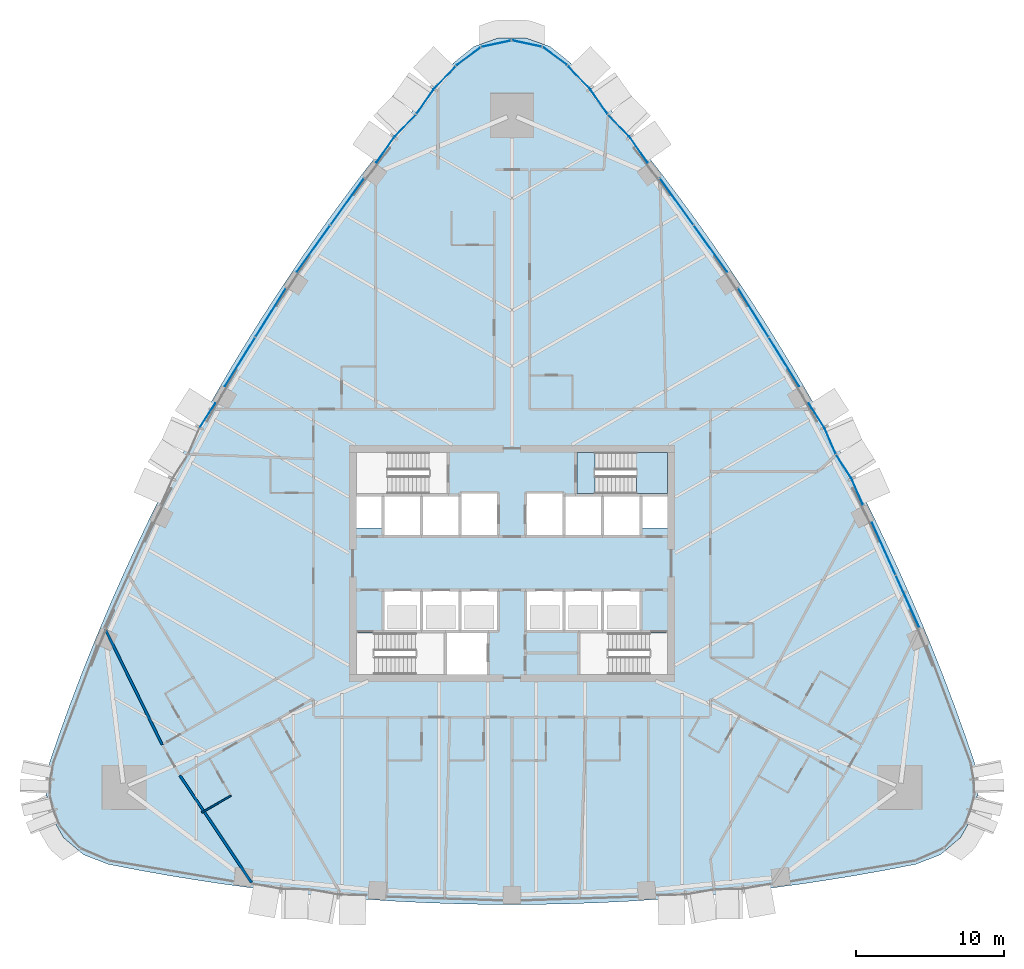
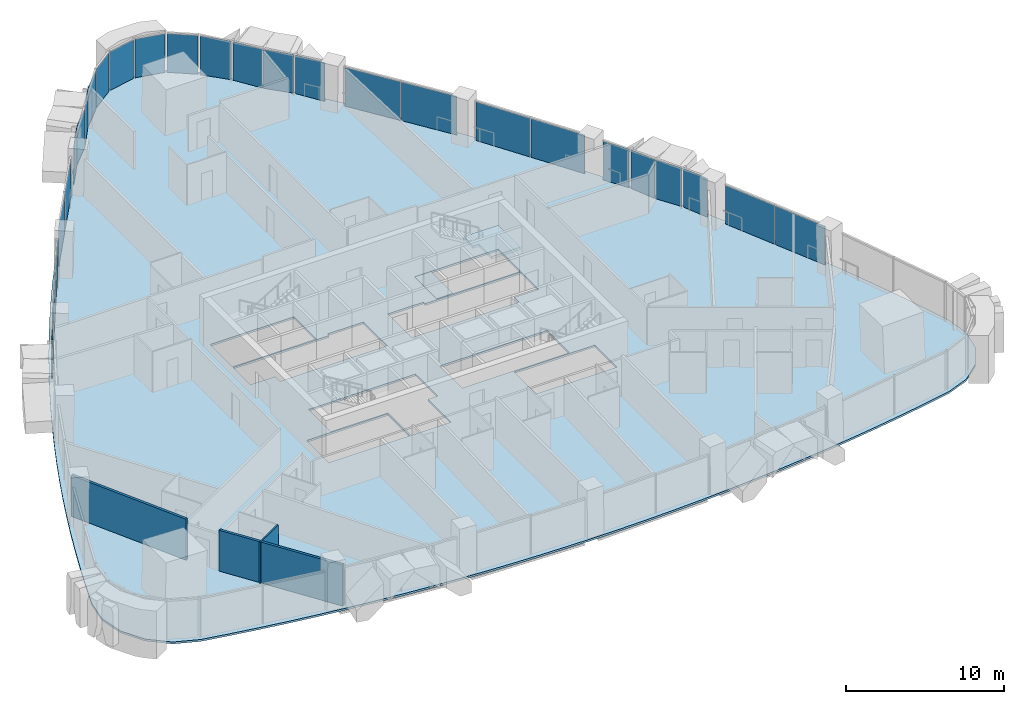
# One storey, part 9 of 18: 27 plates, 3 slabs, 3 walls, 14 elements without a shape of their own.
"""IFC4 building model written with IfcOpenShell, lengths in metres."""

from ifc_helpers import new_model, si_unit, direction, frame, frame_2d, origin, origin_2d, place, context, subcontext, project, spatial, polyline, rectangle, outline, extrude, material, layer, layer_set, type_object, element, aggregate, save


model = new_model("IFC4")

# Units and contexts
model_context = context("Model", 3, precision=1e-05, world=origin(), true_north=direction((0.0, 1.0)))
body_context = subcontext(model_context, "Body", "Model", "MODEL_VIEW")
ifc_project = project(units=[si_unit("LENGTHUNIT", "METRE"), si_unit("AREAUNIT", "SQUARE_METRE"), si_unit("VOLUMEUNIT", "CUBIC_METRE"), si_unit("PLANEANGLEUNIT", "RADIAN"), si_unit("MASSUNIT", "GRAM", prefix="KILO")], contexts=[model_context])

# Site, building, storey
site_placement = place(None, origin())
site = spatial("IfcSite", under=ifc_project, at=site_placement, CompositionType="ELEMENT")
building_placement = place(site_placement, origin())
building = spatial("IfcBuilding", under=site, at=building_placement, Name="Sierra Prisma Convention Tower", CompositionType="ELEMENT")
storey_placement = place(building_placement, frame((0.0, 0.0, 81.300048828125)))
storey = spatial("IfcBuildingStorey", under=building, at=storey_placement, Name="L16", CompositionType="ELEMENT", Elevation=81.300048828125)

# Curtain wall, plates
ifc_material_1 = material(Name="Aluminium and glass curtain wall", Category="aluminium")
ifc_layer_1 = layer(ifc_material_1, 0.179931640625)
ifc_layer_set_1 = layer_set([ifc_layer_1], Name="CW-1 Plain shaft curtain wall")
curtain_wall_type_1 = type_object("IfcCurtainWallType", Name="CW-1 Plain shaft curtain wall", PredefinedType="NOTDEFINED", material=ifc_layer_set_1)
curtain_wall_1_placement = place(storey_placement, origin())
curtain_wall_1 = element("IfcCurtainWall", 1, at=curtain_wall_1_placement, inside=storey, type_object=curtain_wall_type_1, Name="CW-1 NE2 L16", PredefinedType="NOTDEFINED")
ifc_material_2 = material(Name="Tinted glass bronze-grey IGU", Category="glass")
ifc_layer_2 = layer(ifc_material_2, 0.028076171875)
ifc_layer_set_2 = layer_set([ifc_layer_2], Name="CW-1 glass panel")
plate_type_1 = type_object("IfcPlateType", Name="CW-1 glass panel", PredefinedType="CURTAIN_PANEL", material=ifc_layer_set_2)
plate_1_placement = place(storey_placement, frame((26.714111328125, -2.580078125, 0.0), z_axis=(0.0, 0.0, 1.0), x_axis=(-0.411533962664, 0.91139442481, 0.0)))
plate_1 = element("IfcPlate", 2, at=plate_1_placement, type_object=plate_type_1, Name="CW-1 panel NE2.1", PredefinedType="CURTAIN_PANEL", context=body_context, shape_type="SweptSolid", body=[
    extrude(rectangle(XDim=3.838134765625, YDim=0.028076171875, at=origin_2d()), origin(), (0.0, 0.0, 1.0), 2.97998046875),
])
plate_2_placement = place(storey_placement, frame((25.105712890625, 0.981689453125, 0.0), z_axis=(0.0, 0.0, 1.0), x_axis=(-0.411533962664, 0.91139442481, 0.0)))
plate_2 = element("IfcPlate", 3, at=plate_2_placement, type_object=plate_type_1, Name="CW-1 panel NE2.2", PredefinedType="CURTAIN_PANEL", context=body_context, shape_type="SweptSolid", body=[
    extrude(rectangle(XDim=3.838134765625, YDim=0.028076171875, at=origin_2d()), origin(), (0.0, 0.0, 1.0), 2.97998046875),
])
aggregate(curtain_wall_1, [plate_1, plate_2])

curtain_wall_2_placement = place(storey_placement, origin())
curtain_wall_2 = element("IfcCurtainWall", 4, at=curtain_wall_2_placement, inside=storey, type_object=curtain_wall_type_1, Name="CW-1 NE4 L16", PredefinedType="NOTDEFINED")
plate_3_placement = place(storey_placement, frame((18.36669921875, 13.601318359375, 0.0), z_axis=(0.0, 0.0, 1.0), x_axis=(-0.528432247622, 0.848975476485, 0.0)))
plate_3 = element("IfcPlate", 5, at=plate_3_placement, type_object=plate_type_1, Name="CW-1 panel NE4.1", PredefinedType="CURTAIN_PANEL", context=body_context, shape_type="SweptSolid", body=[
    extrude(rectangle(XDim=3.8544921875, YDim=0.028076171875, at=origin_2d()), origin(), (0.0, 0.0, 1.0), 2.97998046875),
])
plate_4_placement = place(storey_placement, frame((16.29296875, 16.93310546875, 0.0), z_axis=(0.0, 0.0, 1.0), x_axis=(-0.528432247622, 0.848975476485, 0.0)))
plate_4 = element("IfcPlate", 6, at=plate_4_placement, type_object=plate_type_1, Name="CW-1 panel NE4.2", PredefinedType="CURTAIN_PANEL", context=body_context, shape_type="SweptSolid", body=[
    extrude(rectangle(XDim=3.8544921875, YDim=0.028076171875, at=origin_2d()), origin(), (0.0, 0.0, 1.0), 2.97998046875),
])
aggregate(curtain_wall_2, [plate_3, plate_4])

curtain_wall_3_placement = place(storey_placement, origin())
curtain_wall_3 = element("IfcCurtainWall", 7, at=curtain_wall_3_placement, inside=storey, type_object=curtain_wall_type_1, Name="CW-1 NE5 L16", PredefinedType="NOTDEFINED")
plate_5_placement = place(storey_placement, frame((13.40283203125, 21.251708984375, 0.0), z_axis=(0.0, 0.0, 1.0), x_axis=(-0.583523743421, 0.812096078592, 0.0)))
plate_5 = element("IfcPlate", 8, at=plate_5_placement, type_object=plate_type_1, Name="CW-1 panel NE5.1", PredefinedType="CURTAIN_PANEL", context=body_context, shape_type="SweptSolid", body=[
    extrude(rectangle(XDim=3.8388671875, YDim=0.028076171875, at=origin_2d()), origin(), (0.0, 0.0, 1.0), 2.97998046875),
])
plate_6_placement = place(storey_placement, frame((11.121826171875, 24.426025390625, 0.0), z_axis=(0.0, 0.0, 1.0), x_axis=(-0.583523743421, 0.812096078592, 0.0)))
plate_6 = element("IfcPlate", 9, at=plate_6_placement, type_object=plate_type_1, Name="CW-1 panel NE5.2", PredefinedType="CURTAIN_PANEL", context=body_context, shape_type="SweptSolid", body=[
    extrude(rectangle(XDim=3.8388671875, YDim=0.028076171875, at=origin_2d()), origin(), (0.0, 0.0, 1.0), 2.97998046875),
])
aggregate(curtain_wall_3, [plate_5, plate_6])

# Curtain wall, plate
curtain_wall_4_placement = place(storey_placement, origin())
curtain_wall_4 = element("IfcCurtainWall", 10, at=curtain_wall_4_placement, inside=storey, type_object=curtain_wall_type_1, Name="CW-1 N1 L16", PredefinedType="NOTDEFINED")
plate_7_placement = place(storey_placement, frame((2.925048828125, 34.240234375, 0.0), z_axis=(0.0, 0.0, 1.0), x_axis=(-0.804356465663, 0.5941470156, 0.0)))
plate_7 = element("IfcPlate", 11, at=plate_7_placement, type_object=plate_type_1, Name="CW-1 panel N1.1", PredefinedType="CURTAIN_PANEL", context=body_context, shape_type="SweptSolid", body=[
    extrude(rectangle(XDim=1.979736328125, YDim=0.028076171875, at=origin_2d()), origin(), (0.0, 0.0, 1.0), 2.97998046875),
])
aggregate(curtain_wall_4, [plate_7])

curtain_wall_5_placement = place(storey_placement, origin())
curtain_wall_5 = element("IfcCurtainWall", 12, at=curtain_wall_5_placement, inside=storey, type_object=curtain_wall_type_1, Name="CW-1 N2 L16", PredefinedType="NOTDEFINED")
plate_8_placement = place(storey_placement, frame((1.0361328125, 35.093017578125, 0.0), z_axis=(0.0, 0.0, 1.0), x_axis=(-0.9775976741, 0.210482273826, 0.0)))
plate_8 = element("IfcPlate", 13, at=plate_8_placement, type_object=plate_type_1, Name="CW-1 panel N2.1", PredefinedType="CURTAIN_PANEL", context=body_context, shape_type="SweptSolid", body=[
    extrude(rectangle(XDim=1.979736328125, YDim=0.028076171875, at=origin_2d()), origin(), (0.0, 0.0, 1.0), 2.97998046875),
])
aggregate(curtain_wall_5, [plate_8])

curtain_wall_6_placement = place(storey_placement, origin())
curtain_wall_6 = element("IfcCurtainWall", 14, at=curtain_wall_6_placement, inside=storey, type_object=curtain_wall_type_1, Name="CW-1 N3 L16", PredefinedType="NOTDEFINED")
plate_9_placement = place(storey_placement, frame((-1.0361328125, 35.093017578125, 0.0), z_axis=(0.0, 0.0, 1.0), x_axis=(-0.9775976741, -0.210482273826, 0.0)))
plate_9 = element("IfcPlate", 15, at=plate_9_placement, type_object=plate_type_1, Name="CW-1 panel N3.1", PredefinedType="CURTAIN_PANEL", context=body_context, shape_type="SweptSolid", body=[
    extrude(rectangle(XDim=1.979736328125, YDim=0.028076171875, at=origin_2d()), origin(), (0.0, 0.0, 1.0), 2.97998046875),
])
aggregate(curtain_wall_6, [plate_9])

curtain_wall_7_placement = place(storey_placement, origin())
curtain_wall_7 = element("IfcCurtainWall", 16, at=curtain_wall_7_placement, inside=storey, type_object=curtain_wall_type_1, Name="CW-1 N4 L16", PredefinedType="NOTDEFINED")
plate_10_placement = place(storey_placement, frame((-2.925048828125, 34.240234375, 0.0), z_axis=(0.0, 0.0, 1.0), x_axis=(-0.804356465663, -0.5941470156, 0.0)))
plate_10 = element("IfcPlate", 17, at=plate_10_placement, type_object=plate_type_1, Name="CW-1 panel N4.1", PredefinedType="CURTAIN_PANEL", context=body_context, shape_type="SweptSolid", body=[
    extrude(rectangle(XDim=1.979736328125, YDim=0.028076171875, at=origin_2d()), origin(), (0.0, 0.0, 1.0), 2.97998046875),
])
aggregate(curtain_wall_7, [plate_10])

# Curtain wall, plates
curtain_wall_8_placement = place(storey_placement, origin())
curtain_wall_8 = element("IfcCurtainWall", 18, at=curtain_wall_8_placement, inside=storey, type_object=curtain_wall_type_1, Name="CW-1 NW2 L16", PredefinedType="NOTDEFINED")
plate_11_placement = place(storey_placement, frame((-11.122802734375, 24.425048828125, 0.0), z_axis=(0.0, 0.0, 1.0), x_axis=(-0.583523743421, -0.812096078592, 0.0)))
plate_11 = element("IfcPlate", 19, at=plate_11_placement, type_object=plate_type_1, Name="CW-1 panel NW2.1", PredefinedType="CURTAIN_PANEL", context=body_context, shape_type="SweptSolid", body=[
    extrude(rectangle(XDim=3.837890625, YDim=0.028076171875, at=origin_2d()), origin(), (0.0, 0.0, 1.0), 2.97998046875),
])
plate_12_placement = place(storey_placement, frame((-13.403076171875, 21.251220703125, 0.0), z_axis=(0.0, 0.0, 1.0), x_axis=(-0.583523743421, -0.812096078592, 0.0)))
plate_12 = element("IfcPlate", 20, at=plate_12_placement, type_object=plate_type_1, Name="CW-1 panel NW2.2", PredefinedType="CURTAIN_PANEL", context=body_context, shape_type="SweptSolid", body=[
    extrude(rectangle(XDim=3.837890625, YDim=0.028076171875, at=origin_2d()), origin(), (0.0, 0.0, 1.0), 2.97998046875),
])
aggregate(curtain_wall_8, [plate_11, plate_12])

curtain_wall_9_placement = place(storey_placement, origin())
curtain_wall_9 = element("IfcCurtainWall", 21, at=curtain_wall_9_placement, inside=storey, type_object=curtain_wall_type_1, Name="CW-1 NW3 L16", PredefinedType="NOTDEFINED")
plate_13_placement = place(storey_placement, frame((-16.293212890625, 16.932861328125, 0.0), z_axis=(0.0, 0.0, 1.0), x_axis=(-0.528432247622, -0.848975476485, 0.0)))
plate_13 = element("IfcPlate", 22, at=plate_13_placement, type_object=plate_type_1, Name="CW-1 panel NW3.1", PredefinedType="CURTAIN_PANEL", context=body_context, shape_type="SweptSolid", body=[
    extrude(rectangle(XDim=3.854248046875, YDim=0.028076171875, at=origin_2d()), origin(), (0.0, 0.0, 1.0), 2.97998046875),
])
plate_14_placement = place(storey_placement, frame((-18.36669921875, 13.601318359375, 0.0), z_axis=(0.0, 0.0, 1.0), x_axis=(-0.528432247622, -0.848975476485, 0.0)))
plate_14 = element("IfcPlate", 23, at=plate_14_placement, type_object=plate_type_1, Name="CW-1 panel NW3.2", PredefinedType="CURTAIN_PANEL", context=body_context, shape_type="SweptSolid", body=[
    extrude(rectangle(XDim=3.854248046875, YDim=0.028076171875, at=origin_2d()), origin(), (0.0, 0.0, 1.0), 2.97998046875),
])
aggregate(curtain_wall_9, [plate_13, plate_14])

ifc_material_3 = material(Name="Aluminium and glass curtain wall", Category="aluminium")
ifc_layer_3 = layer(ifc_material_3, 0.179931640625)
ifc_layer_set_3 = layer_set([ifc_layer_3], Name="CW-2 Faceted crystal curtain wall")
curtain_wall_type_2 = type_object("IfcCurtainWallType", Name="CW-2 Faceted crystal curtain wall", PredefinedType="NOTDEFINED", material=ifc_layer_set_3)
curtain_wall_10_placement = place(storey_placement, origin())
curtain_wall_10 = element("IfcCurtainWall", 24, at=curtain_wall_10_placement, inside=storey, type_object=curtain_wall_type_2, Name="CW-2 NE3 L16", PredefinedType="NOTDEFINED")
ifc_material_4 = material(Name="Tinted glass bronze-grey IGU", Category="glass")
ifc_layer_4 = layer(ifc_material_4, 0.028076171875)
ifc_layer_set_4 = layer_set([ifc_layer_4], Name="CW-2 crystal pane")
plate_type_2 = type_object("IfcPlateType", Name="CW-2 crystal pane", PredefinedType="CURTAIN_PANEL", material=ifc_layer_set_4)
plate_15_placement = place(storey_placement, frame((23.718505859375, 3.94384765625, 0.0), z_axis=(0.916364196108, 0.400345675749, 0.0), x_axis=(-0.400345675749, 0.916364196108, 0.0)))
plate_15 = element("IfcPlate", 25, at=plate_15_placement, type_object=plate_type_2, Name="CW-2 pane NE3.1.1", PredefinedType="CURTAIN_PANEL", context=body_context, shape_type="SweptSolid", body=[
    extrude(outline(polyline([(0.0, 0.0), (1.867892622981925, 0.0), (1.867892622981925, 2.97998046875), (0.0, 2.97998046875), (0.0, 0.0)])), origin(), (0.0, 0.0, -1.0), 0.028076171875),
])
plate_16_placement = place(storey_placement, frame((21.903076171875, 7.34375, 0.0), z_axis=(0.842416150856, 0.538827457334, 0.0), x_axis=(0.538827457334, -0.842416150856, 0.0)))
plate_16 = element("IfcPlate", 26, at=plate_16_placement, type_object=plate_type_2, Name="CW-2 pane NE3.1.2", PredefinedType="CURTAIN_PANEL", context=body_context, shape_type="SweptSolid", body=[
    extrude(outline(polyline([(0.0, 0.0), (1.8681152624525437, 0.0), (1.8681152624525437, -2.97998046875), (0.0, -2.97998046875), (0.0, 0.0)])), origin(), (0.0, 0.0, -1.0), 0.028076171875),
])
plate_17_placement = place(storey_placement, frame((21.8701171875, 7.405517578125, 0.0), z_axis=(0.916364196108, 0.400345675749, 0.0), x_axis=(-0.400345675749, 0.916364196108, 0.0)))
plate_17 = element("IfcPlate", 27, at=plate_17_placement, type_object=plate_type_2, Name="CW-2 pane NE3.2.1", PredefinedType="CURTAIN_PANEL", context=body_context, shape_type="SweptSolid", body=[
    extrude(outline(polyline([(0.0, 0.0), (1.867892622981925, 0.0), (1.867892622981925, 2.97998046875), (0.0, 2.97998046875), (0.0, 0.0)])), origin(), (0.0, 0.0, -1.0), 0.028076171875),
])
plate_18_placement = place(storey_placement, frame((20.0546875, 10.805419921875, 0.0), z_axis=(0.842416150856, 0.538827457334, 0.0), x_axis=(0.538827457334, -0.842416150856, 0.0)))
plate_18 = element("IfcPlate", 28, at=plate_18_placement, type_object=plate_type_2, Name="CW-2 pane NE3.2.2", PredefinedType="CURTAIN_PANEL", context=body_context, shape_type="SweptSolid", body=[
    extrude(outline(polyline([(0.0, 0.0), (1.8681152624525437, 0.0), (1.8681152624525437, -2.97998046875), (0.0, -2.97998046875), (0.0, 0.0)])), origin(), (0.0, 0.0, -1.0), 0.028076171875),
])
aggregate(curtain_wall_10, [plate_15, plate_16, plate_17, plate_18])

curtain_wall_11_placement = place(storey_placement, origin())
curtain_wall_11 = element("IfcCurtainWall", 29, at=curtain_wall_11_placement, inside=storey, type_object=curtain_wall_type_2, Name="CW-2 NE6 L16", PredefinedType="NOTDEFINED")
plate_19_placement = place(storey_placement, frame((9.159423828125, 27.081298828125, 0.0), z_axis=(0.819163841267, 0.573559588151, 0.0), x_axis=(-0.573559588151, 0.819163841267, 0.0)))
plate_19 = element("IfcPlate", 30, at=plate_19_placement, type_object=plate_type_2, Name="CW-2 pane NE6.1.1", PredefinedType="CURTAIN_PANEL", context=body_context, shape_type="SweptSolid", body=[
    extrude(outline(polyline([(0.0, 0.0), (2.021878794647382, 0.0), (2.021878794647382, 2.97998046875), (0.0, 2.97998046875), (0.0, 0.0)])), origin(), (0.0, 0.0, -1.0), 0.028076171875),
])
plate_20_placement = place(storey_placement, frame((6.512939453125, 30.2919921875, 0.0), z_axis=(0.719434749927, 0.694560033833, 0.0), x_axis=(0.694560033833, -0.719434749927, 0.0)))
plate_20 = element("IfcPlate", 31, at=plate_20_placement, type_object=plate_type_2, Name="CW-2 pane NE6.1.2", PredefinedType="CURTAIN_PANEL", context=body_context, shape_type="SweptSolid", body=[
    extrude(outline(polyline([(0.0, 0.0), (2.021850965495582, 0.0), (2.021850965495582, -2.97998046875), (0.0, -2.97998046875), (0.0, 0.0)])), origin(), (0.0, 0.0, -1.0), 0.028076171875),
])
plate_21_placement = place(storey_placement, frame((6.468505859375, 30.345947265625, 0.0), z_axis=(0.819163841267, 0.573559588151, 0.0), x_axis=(-0.573559588151, 0.819163841267, 0.0)))
plate_21 = element("IfcPlate", 32, at=plate_21_placement, type_object=plate_type_2, Name="CW-2 pane NE6.2.1", PredefinedType="CURTAIN_PANEL", context=body_context, shape_type="SweptSolid", body=[
    extrude(outline(polyline([(0.0, 0.0), (2.021878794647382, 0.0), (2.021878794647382, 2.97998046875), (0.0, 2.97998046875), (0.0, 0.0)])), origin(), (0.0, 0.0, -1.0), 0.028076171875),
])
plate_22_placement = place(storey_placement, frame((3.822021484375, 33.556396484375, 0.0), z_axis=(0.719376490382, 0.694620374799, 0.0), x_axis=(0.694620374799, -0.719376490382, 0.0)))
plate_22 = element("IfcPlate", 33, at=plate_22_placement, type_object=plate_type_2, Name="CW-2 pane NE6.2.2", PredefinedType="CURTAIN_PANEL", context=body_context, shape_type="SweptSolid", body=[
    extrude(outline(polyline([(0.0, 0.0), (2.0216753293575396, 0.0), (2.0216753293575396, -2.97998046875), (0.0, -2.97998046875), (0.0, 0.0)])), origin(), (0.0, 0.0, -1.0), 0.028076171875),
])
aggregate(curtain_wall_11, [plate_19, plate_20, plate_21, plate_22])

curtain_wall_12_placement = place(storey_placement, origin())
curtain_wall_12 = element("IfcCurtainWall", 34, at=curtain_wall_12_placement, inside=storey, type_object=curtain_wall_type_2, Name="CW-2 NW1 L16", PredefinedType="NOTDEFINED")
plate_23_placement = place(storey_placement, frame((-3.822021484375, 33.556396484375, 0.0), z_axis=(-0.719376490382, 0.694620374799, 0.0), x_axis=(-0.694620374799, -0.719376490382, 0.0)))
plate_23 = element("IfcPlate", 35, at=plate_23_placement, type_object=plate_type_2, Name="CW-2 pane NW1.1.1", PredefinedType="CURTAIN_PANEL", context=body_context, shape_type="SweptSolid", body=[
    extrude(outline(polyline([(0.0, 0.0), (2.0216753293575396, 0.0), (2.0216753293575396, 2.97998046875), (0.0, 2.97998046875), (0.0, 0.0)])), origin(), (0.0, 0.0, -1.0), 0.028076171875),
])
plate_24_placement = place(storey_placement, frame((-6.468505859375, 30.345947265625, 0.0), z_axis=(-0.819163841267, 0.573559588151, 0.0), x_axis=(0.573559588151, 0.819163841267, 0.0)))
plate_24 = element("IfcPlate", 36, at=plate_24_placement, type_object=plate_type_2, Name="CW-2 pane NW1.1.2", PredefinedType="CURTAIN_PANEL", context=body_context, shape_type="SweptSolid", body=[
    extrude(outline(polyline([(0.0, 0.0), (2.021878794647382, 0.0), (2.021878794647382, -2.97998046875), (0.0, -2.97998046875), (0.0, 0.0)])), origin(), (0.0, 0.0, -1.0), 0.028076171875),
])
plate_25_placement = place(storey_placement, frame((-6.512939453125, 30.2919921875, 0.0), z_axis=(-0.719434749927, 0.694560033833, 0.0), x_axis=(-0.694560033833, -0.719434749927, 0.0)))
plate_25 = element("IfcPlate", 37, at=plate_25_placement, type_object=plate_type_2, Name="CW-2 pane NW1.2.1", PredefinedType="CURTAIN_PANEL", context=body_context, shape_type="SweptSolid", body=[
    extrude(outline(polyline([(0.0, 0.0), (2.021850965495582, 0.0), (2.021850965495582, 2.97998046875), (0.0, 2.97998046875), (0.0, 0.0)])), origin(), (0.0, 0.0, -1.0), 0.028076171875),
])
plate_26_placement = place(storey_placement, frame((-9.159423828125, 27.081298828125, 0.0), z_axis=(-0.819163841267, 0.573559588151, 0.0), x_axis=(0.573559588151, 0.819163841267, 0.0)))
plate_26 = element("IfcPlate", 38, at=plate_26_placement, type_object=plate_type_2, Name="CW-2 pane NW1.2.2", PredefinedType="CURTAIN_PANEL", context=body_context, shape_type="SweptSolid", body=[
    extrude(outline(polyline([(0.0, 0.0), (2.021878794647382, 0.0), (2.021878794647382, -2.97998046875), (0.0, -2.97998046875), (0.0, 0.0)])), origin(), (0.0, 0.0, -1.0), 0.028076171875),
])
aggregate(curtain_wall_12, [plate_23, plate_24, plate_25, plate_26])

# Curtain wall, plate
curtain_wall_13_placement = place(storey_placement, origin())
curtain_wall_13 = element("IfcCurtainWall", 39, at=curtain_wall_13_placement, inside=storey, type_object=curtain_wall_type_2, Name="CW-2 NW4 L16", PredefinedType="NOTDEFINED")
plate_27_placement = place(storey_placement, frame((-20.0546875, 10.805419921875, 0.0), z_axis=(-0.842416150856, 0.538827457334, 0.0), x_axis=(-0.538827457334, -0.842416150856, 0.0)))
plate_27 = element("IfcPlate", 40, at=plate_27_placement, type_object=plate_type_2, Name="CW-2 pane NW4.1.1", PredefinedType="CURTAIN_PANEL", context=body_context, shape_type="SweptSolid", body=[
    extrude(outline(polyline([(0.0, 0.0), (1.8681152624525437, 0.0), (1.8681152624525437, 2.97998046875), (0.0, 2.97998046875), (0.0, 0.0)])), origin(), (0.0, 0.0, -1.0), 0.028076171875),
])
aggregate(curtain_wall_13, [plate_27])

# Slab
ifc_material_5 = material(Name="Concrete C35/45", Category="concrete")
ifc_layer_5 = layer(ifc_material_5, 0.14990234375)
ifc_layer_set_5 = layer_set([ifc_layer_5], Name="Composite floor slab 150")
slab_type_1 = type_object("IfcSlabType", Name="Composite floor slab 150", PredefinedType="FLOOR", material=ifc_layer_set_5)
slab_1_placement = place(storey_placement, frame((0.0, 0.0, -0.150146484375)))
element("IfcSlab", 41, at=slab_1_placement, inside=storey, type_object=slab_type_1, Name="Floor slab L16 floor", PredefinedType="FLOOR", context=body_context, shape_type="SweptSolid", body=[
    extrude(outline(polyline([(-27.268310546875, -20.32177734375), (-25.343505859375, -20.695556640625), (-23.413818359375, -21.0419921875), (-21.479248046875, -21.36083984375), (-19.54052734375, -21.65234375), (-17.59765625, -21.916015625), (-15.6513671875, -22.15234375), (-13.701904296875, -22.36083984375), (-11.74951171875, -22.541748046875), (-9.794921875, -22.69482421875), (-7.83837890625, -22.820068359375), (-5.880126953125, -22.91748046875), (-3.920654296875, -22.987060546875), (-1.96044921875, -23.02880859375), (0.0, -23.04296875), (1.96044921875, -23.02880859375), (3.920654296875, -22.987060546875), (5.880126953125, -22.91748046875), (7.83837890625, -22.820068359375), (9.794921875, -22.69482421875), (11.74951171875, -22.541748046875), (13.701904296875, -22.36083984375), (15.6513671875, -22.15234375), (17.59765625, -21.916015625), (19.54052734375, -21.65234375), (21.479248046875, -21.36083984375), (23.413818359375, -21.0419921875), (25.343505859375, -20.695556640625), (27.268310546875, -20.32177734375), (28.933349609375, -19.6787109375), (30.289306640625, -18.51806640625), (31.181640625, -16.97216796875), (31.5087890625, -15.217529296875), (31.233154296875, -13.4541015625), (30.5947265625, -11.600341796875), (29.9296875, -9.755859375), (29.23876953125, -7.921142578125), (28.521728515625, -6.096435546875), (27.77880859375, -4.281982421875), (27.01025390625, -2.478271484375), (26.216064453125, -0.685791015625), (25.396484375, 1.095458984375), (24.5517578125, 2.86474609375), (23.681884765625, 4.621826171875), (22.787109375, 6.366455078125), (21.867919921875, 8.09814453125), (20.923828125, 9.816650390625), (19.955810546875, 11.521484375), (18.96337890625, 13.21240234375), (17.947021484375, 14.888916015625), (16.906982421875, 16.551025390625), (15.843505859375, 18.1982421875), (14.7568359375, 19.830078125), (13.64697265625, 21.4462890625), (12.51416015625, 23.046630859375), (11.35888671875, 24.630615234375), (10.18115234375, 26.197998046875), (8.981201171875, 27.74853515625), (7.759521484375, 29.281982421875), (6.515869140625, 30.7978515625), (5.2509765625, 32.2958984375), (3.965087890625, 33.77587890625), (2.57568359375, 34.896240234375), (0.892333984375, 35.490234375), (-0.892333984375, 35.490234375), (-2.57568359375, 34.896240234375), (-3.965087890625, 33.77587890625), (-5.2509765625, 32.2958984375), (-6.515869140625, 30.7978515625), (-7.759521484375, 29.281982421875), (-8.981201171875, 27.74853515625), (-10.18115234375, 26.197998046875), (-11.35888671875, 24.630615234375), (-12.51416015625, 23.046630859375), (-13.64697265625, 21.4462890625), (-14.7568359375, 19.830078125), (-15.843505859375, 18.1982421875), (-16.906982421875, 16.551025390625), (-17.947021484375, 14.888916015625), (-18.96337890625, 13.21240234375), (-19.955810546875, 11.521484375), (-20.923828125, 9.816650390625), (-21.867919921875, 8.09814453125), (-22.787109375, 6.366455078125), (-23.681884765625, 4.621826171875), (-24.5517578125, 2.86474609375), (-25.396484375, 1.095458984375), (-26.216064453125, -0.685791015625), (-27.01025390625, -2.478271484375), (-27.77880859375, -4.281982421875), (-28.521728515625, -6.096435546875), (-29.23876953125, -7.921142578125), (-29.9296875, -9.755859375), (-30.5947265625, -11.600341796875), (-31.233154296875, -13.4541015625), (-31.5087890625, -15.217529296875), (-31.181640625, -16.97216796875), (-30.289306640625, -18.51806640625), (-28.933349609375, -19.6787109375), (-27.268310546875, -20.32177734375)]), holes=[polyline([(-4.60009765625, -7.5), (-10.5, -7.5), (-10.5, -4.699951171875), (-4.60009765625, -4.699951171875), (-4.60009765625, -7.5)]), polyline([(-8.699951171875, -4.60009765625), (-8.699951171875, -1.800048828125), (-6.10009765625, -1.800048828125), (-3.5, -1.800048828125), (-0.89990234375, -1.800048828125), (-0.89990234375, -4.60009765625), (-1.60009765625, -4.60009765625), (-1.60009765625, -7.5), (-4.5, -7.5), (-4.5, -4.60009765625), (-6.10009765625, -4.60009765625), (-8.699951171875, -4.60009765625)]), polyline([(-10.5, 4.60009765625), (-8.699951171875, 4.60009765625), (-6.10009765625, 4.60009765625), (-3.5, 4.60009765625), (-3.5, 4.800048828125), (-0.89990234375, 4.800048828125), (-0.89990234375, 1.800048828125), (-3.5, 1.800048828125), (-6.10009765625, 1.800048828125), (-8.699951171875, 1.800048828125), (-8.699951171875, 2.39990234375), (-10.5, 2.39990234375), (-10.5, 4.60009765625)]), polyline([(-4.39990234375, 4.699951171875), (-10.5, 4.699951171875), (-10.5, 7.5), (-4.39990234375, 7.5), (-4.39990234375, 4.699951171875)]), polyline([(10.5, -7.5), (4.60009765625, -7.5), (4.60009765625, -4.699951171875), (10.5, -4.699951171875), (10.5, -7.5)]), polyline([(6.10009765625, -1.800048828125), (8.699951171875, -1.800048828125), (8.699951171875, -4.60009765625), (6.10009765625, -4.60009765625), (3.5, -4.60009765625), (0.89990234375, -4.60009765625), (0.89990234375, -1.800048828125), (3.5, -1.800048828125), (6.10009765625, -1.800048828125)]), polyline([(10.5, 4.60009765625), (10.5, 2.39990234375), (8.699951171875, 2.39990234375), (8.699951171875, 1.800048828125), (6.10009765625, 1.800048828125), (3.5, 1.800048828125), (0.89990234375, 1.800048828125), (0.89990234375, 4.800048828125), (3.5, 4.800048828125), (3.5, 4.60009765625), (6.10009765625, 4.60009765625), (8.699951171875, 4.60009765625), (10.5, 4.60009765625)]), polyline([(4.39990234375, 4.699951171875), (4.39990234375, 7.5), (10.5, 7.5), (10.5, 4.699951171875), (4.39990234375, 4.699951171875)])]), origin(), (0.0, 0.0, 1.0), 0.150146484375),
])

# Stair, slab
ifc_material_6 = material(Name="Concrete C30/37", Category="concrete")
stair_type = type_object("IfcStairType", Name="Stair dog-leg 1200 RC", PredefinedType="HALF_TURN_STAIR", material=ifc_material_6)
stair_placement = place(storey_placement, origin())
stair = element("IfcStair", 42, at=stair_placement, inside=storey, type_object=stair_type, Name="L16 S4", PredefinedType="HALF_TURN_STAIR")
ifc_material_7 = material(Name="Concrete C35/45", Category="concrete")
ifc_layer_6 = layer(ifc_material_7, 0.199951171875)
ifc_layer_set_6 = layer_set([ifc_layer_6], Name="Stair landing slab")
slab_type_2 = type_object("IfcSlabType", Name="Stair landing slab", PredefinedType="LANDING", material=ifc_layer_set_6)
slab_2_placement = place(storey_placement, frame((0.0, 0.0, 1.64990234375)))
slab_2 = element("IfcSlab", 43, at=slab_2_placement, type_object=slab_type_2, Name="S4 landing 1", PredefinedType="LANDING", context=body_context, shape_type="SweptSolid", body=[
    extrude(outline(polyline([(10.5, 7.5), (10.5, 4.699951171875), (8.39794921875, 4.699951171875), (8.39794921875, 6.300048828125), (7.949951171875, 6.300048828125), (7.949951171875, 7.5), (10.5, 7.5)])), origin(), (0.0, 0.0, 1.0), 0.199951171875),
])
aggregate(stair, [slab_2])

# Slab
slab_3_placement = place(storey_placement, frame((0.0, 0.0, -0.199951171875)))
element("IfcSlab", 44, at=slab_3_placement, inside=storey, type_object=slab_type_2, Name="S4 floor landing L16", PredefinedType="LANDING", context=body_context, shape_type="SweptSolid", body=[
    extrude(outline(polyline([(4.39990234375, 4.699951171875), (5.60205078125, 4.699951171875), (5.60205078125, 7.5), (4.39990234375, 7.5), (4.39990234375, 4.699951171875)])), origin(), (0.0, 0.0, 1.0), 0.199951171875),
])

# Walls
ifc_material_8 = material(Name="Gypsum board partition", Category="gypsum")
ifc_layer_7 = layer(ifc_material_8, 0.10009765625)
ifc_layer_set_7 = layer_set([ifc_layer_7], Name="Bathroom partition 100")
wall_type_1 = type_object("IfcWallType", Name="Bathroom partition 100", PredefinedType="PARTITIONING", material=ifc_layer_set_7)
wall_1_placement = place(storey_placement, frame((-18.9775390625, -15.69091796875, 0.0), z_axis=(0.0, 0.0, 1.0), x_axis=(-0.866017224141, -0.500014167291, 0.0)))
element("IfcWall", 45, at=wall_1_placement, inside=storey, type_object=wall_type_1, Name="Partition L16 bath 4", PredefinedType="PARTITIONING", context=body_context, shape_type="SweptSolid", body=[
    extrude(rectangle(XDim=2.27001953125, YDim=0.10009765625, at=frame_2d((1.135009765625, 0.0))), origin(), (0.0, 0.0, 1.0), 3.14990234375),
])
ifc_material_9 = material(Name="Acoustic gypsum board partition", Category="gypsum")
ifc_layer_8 = layer(ifc_material_9, 0.175048828125)
ifc_layer_set_8 = layer_set([ifc_layer_8], Name="Guest room party wall 175 acoustic EI 60")
wall_type_2 = type_object("IfcWallType", Name="Guest room party wall 175 acoustic EI 60", PredefinedType="PARTITIONING", material=ifc_layer_set_8)
wall_2_placement = place(storey_placement, frame((-23.619384765625, -12.2509765625, 0.0), z_axis=(0.0, 0.0, 1.0), x_axis=(-0.442324638578, 0.896855012868, 0.0)))
element("IfcWall", 46, at=wall_2_placement, inside=storey, type_object=wall_type_2, Name="Partition L16 hparty 1", PredefinedType="PARTITIONING", context=body_context, shape_type="SweptSolid", body=[
    extrude(rectangle(XDim=8.700927734375, YDim=0.175048828125, at=frame_2d((4.3505859375, 0.0))), origin(), (0.0, 0.0, 1.0), 3.14990234375),
])
wall_3_placement = place(storey_placement, frame((-17.585693359375, -21.564453125, 0.0), z_axis=(0.0, 0.0, 1.0), x_axis=(-0.555535204136, 0.831493016787, 0.0)))
element("IfcWall", 47, at=wall_3_placement, inside=storey, type_object=wall_type_2, Name="Partition L16 hparty 3", PredefinedType="PARTITIONING", context=body_context, shape_type="SweptSolid", body=[
    extrude(rectangle(XDim=8.701171875, YDim=0.175048828125, at=frame_2d((4.3505859375, 0.0))), origin(), (0.0, 0.0, 1.0), 3.14990234375),
])

save(model, "model.ifc")
